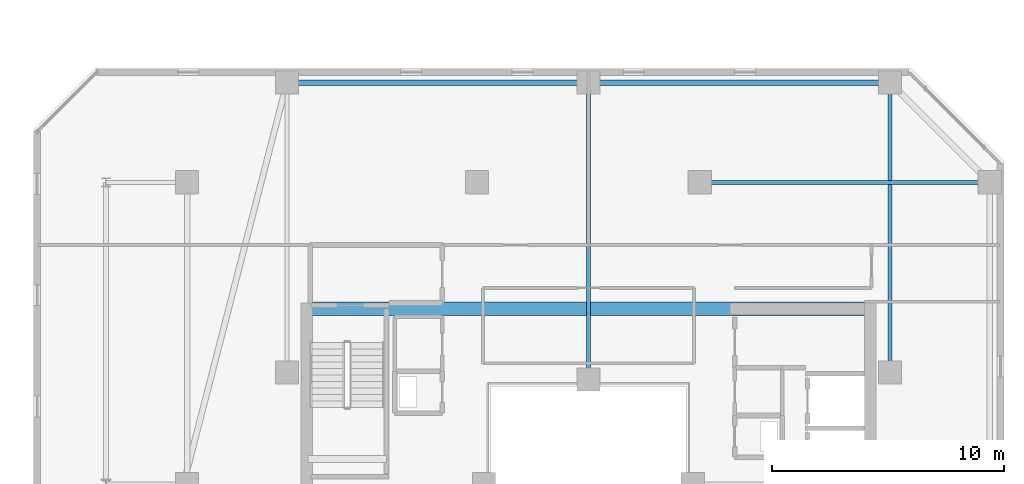
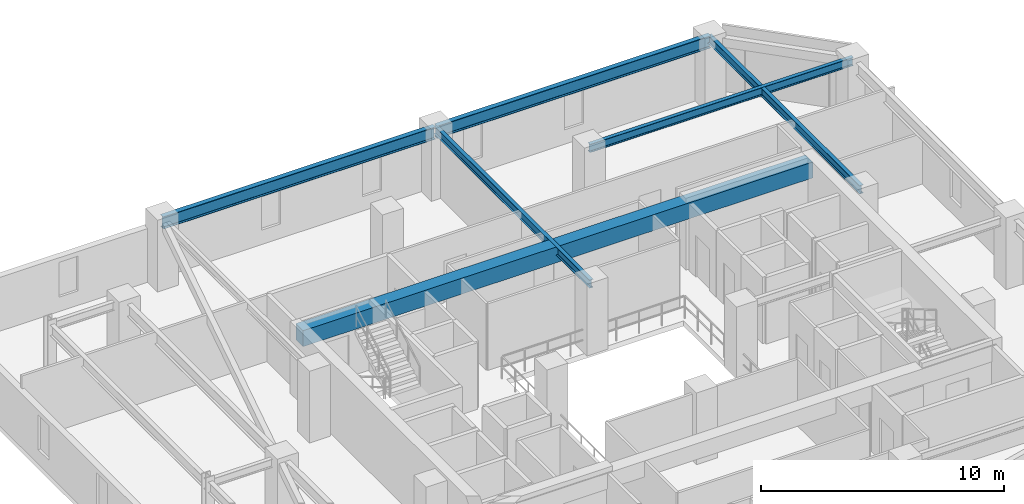
# One storey, part 16 of 33: 6 beams.
"""IFC4 building model written with IfcOpenShell, lengths in metres."""

from ifc_helpers import new_model, si_unit, direction, frame, origin, origin_2d, place, context, subcontext, project, spatial, rectangle, i_section, extrude, material, material_profile, profile_set, type_object, element, save


model = new_model("IFC4")

# Units and contexts
model_context = context("Model", 3, precision=1e-05, world=origin(), true_north=direction((0.0, 1.0)))
body_context = subcontext(model_context, "Body", "Model", "MODEL_VIEW")
ifc_project = project(units=[si_unit("LENGTHUNIT", "METRE"), si_unit("AREAUNIT", "SQUARE_METRE"), si_unit("VOLUMEUNIT", "CUBIC_METRE"), si_unit("PLANEANGLEUNIT", "RADIAN"), si_unit("MASSUNIT", "GRAM", prefix="KILO")], contexts=[model_context])

# Site, building, storey
site_placement = place(None, origin())
site = spatial("IfcSite", under=ifc_project, at=site_placement, CompositionType="ELEMENT")
building_placement = place(site_placement, origin())
building = spatial("IfcBuilding", under=site, at=building_placement, Name="Thornwick Lancets Civic Towers", CompositionType="ELEMENT")
storey_placement = place(building_placement, frame((0.0, 0.0, 203.699951171875)))
storey = spatial("IfcBuildingStorey", under=building, at=storey_placement, Name="L54", CompositionType="ELEMENT", Elevation=203.699951171875)

# Beams
ifc_material_1 = material(Name="Concrete C60/75", Category="concrete")
ifc_material_profile_1 = material_profile(ifc_material_1, rectangle(XDim=0.60009765625, YDim=0.800048828125, at=origin_2d()), Name="RC 600x800")
ifc_profile_set_1 = profile_set([ifc_material_profile_1], Name="Concrete C60/75")
beam_type_1 = type_object("IfcBeamType", Name="BM_COUP_RC800", PredefinedType="BEAM", material=ifc_profile_set_1)
beam_1_placement = place(storey_placement, frame((76.39990234375, 34.550048828125, 2.9599609375), z_axis=(1.0, 0.0, 0.0), x_axis=(0.0, 1.0, 0.0)))
element("IfcBeam", 1, at=beam_1_placement, inside=storey, type_object=beam_type_1, Name="CB-L54-B1", PredefinedType="BEAM", context=body_context, shape_type="SweptSolid", body=[
    extrude(rectangle(XDim=0.60009765625, YDim=0.800048828125, at=origin_2d()), origin(), (0.0, 0.0, 1.0), 24.2001953125),
])
ifc_material_2 = material(Name="Steel S355JR", Category="steel")
ifc_material_profile_2 = material_profile(ifc_material_2, i_section(OverallWidth=0.230224609375, OverallDepth=0.6171875, WebThickness=0.01318359375, FlangeThickness=0.022216796875, FilletRadius=0.0126953125, at=origin_2d()), Name="UKB 610x229x140")
ifc_profile_set_2 = profile_set([ifc_material_profile_2], Name="Steel S355JR")
beam_type_2 = type_object("IfcBeamType", Name="BM_GIRD_610_140", PredefinedType="BEAM", material=ifc_profile_set_2)
beam_2_placement = place(storey_placement, frame((101.5, 44.300048828125, 3.051513671875), z_axis=(-1.0, 0.0, 0.0), x_axis=(0.0, -1.0, 0.0)))
element("IfcBeam", 2, at=beam_2_placement, inside=storey, type_object=beam_type_2, Name="BM-SPINE-L54-B-3-4", PredefinedType="BEAM", context=body_context, shape_type="SweptSolid", body=[
    extrude(i_section(OverallWidth=0.230224609375, OverallDepth=0.6171875, WebThickness=0.01318359375, FlangeThickness=0.022216796875, FilletRadius=0.0126953125, at=origin_2d()), origin(), (0.0, 0.0, 1.0), 13.0),
])
beam_3_placement = place(storey_placement, frame((88.419921875, 44.300048828125, 3.051513671875), z_axis=(-1.0, 0.0, 0.0), x_axis=(0.0, -1.0, 0.0)))
element("IfcBeam", 3, at=beam_3_placement, inside=storey, type_object=beam_type_2, Name="BM-SPINE-L54-B-4-5", PredefinedType="BEAM", context=body_context, shape_type="SweptSolid", body=[
    extrude(i_section(OverallWidth=0.230224609375, OverallDepth=0.6171875, WebThickness=0.01318359375, FlangeThickness=0.022216796875, FilletRadius=0.0126953125, at=origin_2d()), origin(), (0.0, 0.0, 1.0), 12.919921875),
])
ifc_material_profile_3 = material_profile(ifc_material_2, i_section(OverallWidth=0.179443359375, OverallDepth=0.412841796875, WebThickness=0.009521484375, FlangeThickness=0.01611328125, FilletRadius=0.01025390625, at=origin_2d()), Name="UKB 406x178x74")
ifc_profile_set_3 = profile_set([ifc_material_profile_3], Name="Steel S355JR")
beam_type_3 = type_object("IfcBeamType", Name="BM_JOIST_406_74", PredefinedType="JOIST", material=ifc_profile_set_3)
for number, where, z_axis, x_axis, name in (
    (4, (93.300048828125, 40.0, 3.153564453125), (1.0, 0.0, 0.0), (0.0, 1.0, 0.0), "BM-RADIN-L54-B03"),
    (5, (101.5, 31.800048828125, 3.153564453125), (0.0, 1.0, 0.0), (-1.0, 0.0, 0.0), "BM-RADIN-L54-B04"),
):
    element("IfcBeam", number, at=place(storey_placement, frame(where, z_axis=z_axis, x_axis=x_axis)), inside=storey, type_object=beam_type_3, Name=name, PredefinedType="JOIST", context=body_context, shape_type="SweptSolid", body=[
        extrude(i_section(OverallWidth=0.179443359375, OverallDepth=0.412841796875, WebThickness=0.009521484375, FlangeThickness=0.01611328125, FilletRadius=0.01025390625, at=origin_2d()), origin(), (0.0, 0.0, 1.0), 12.5),
    ])
beam_4_placement = place(storey_placement, frame((88.5, 31.5, 3.153564453125), z_axis=(0.0, 1.0, 0.0), x_axis=(-1.0, 0.0, 0.0)))
element("IfcBeam", 6, at=beam_4_placement, inside=storey, type_object=beam_type_3, Name="BM-RADIN-L54-B05", PredefinedType="JOIST", context=body_context, shape_type="SweptSolid", body=[
    extrude(i_section(OverallWidth=0.179443359375, OverallDepth=0.412841796875, WebThickness=0.009521484375, FlangeThickness=0.01611328125, FilletRadius=0.01025390625, at=origin_2d()), origin(), (0.0, 0.0, 1.0), 12.800048828125),
])

save(model, "model.ifc")
